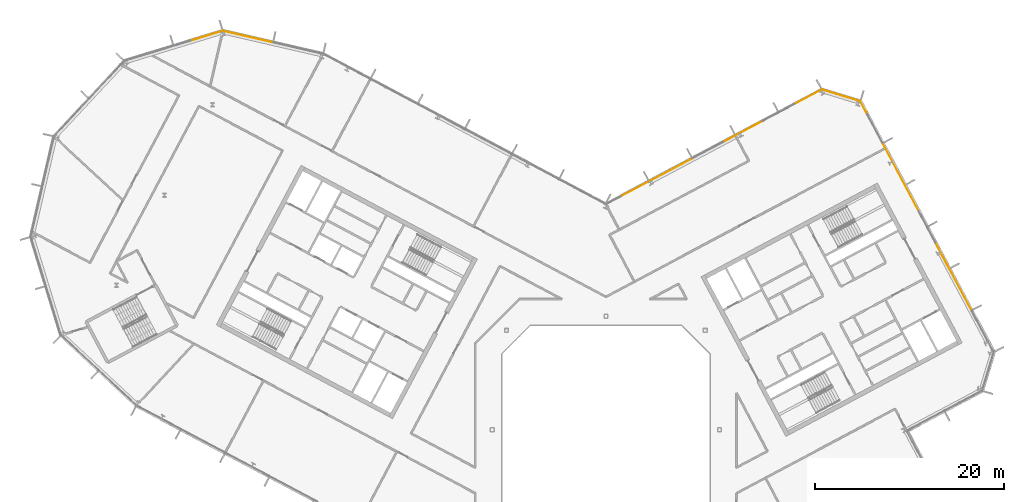
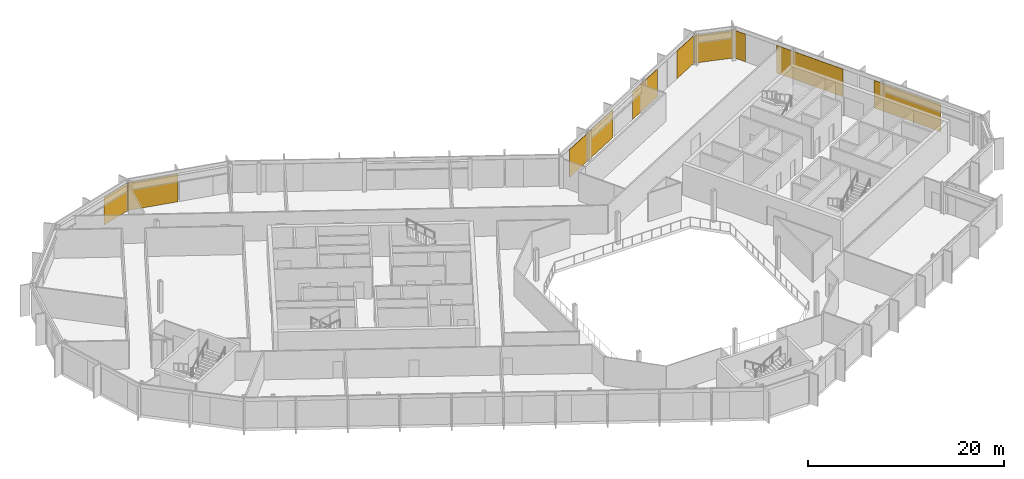
# One storey, part 25 of 25: 9 coverings, 5 elements without a shape of their own.
"""IFC4 building model written with IfcOpenShell, lengths in metres."""

from ifc_helpers import new_model, si_unit, direction, frame, origin, origin_2d, place, context, subcontext, project, spatial, rectangle, extrude, material, layer, layer_set, type_object, element, aggregate, save


model = new_model("IFC4")

# Units and contexts
model_context = context("Model", 3, precision=1e-05, world=origin(), true_north=direction((0.0, 1.0)))
body_context = subcontext(model_context, "Body", "Model", "MODEL_VIEW")
ifc_project = project(units=[si_unit("LENGTHUNIT", "METRE"), si_unit("AREAUNIT", "SQUARE_METRE"), si_unit("VOLUMEUNIT", "CUBIC_METRE"), si_unit("PLANEANGLEUNIT", "RADIAN"), si_unit("MASSUNIT", "GRAM", prefix="KILO")], contexts=[model_context])

# Site, building, storey
site_placement = place(None, origin())
site = spatial("IfcSite", under=ifc_project, at=site_placement, CompositionType="ELEMENT")
building_placement = place(site_placement, origin())
building = spatial("IfcBuilding", under=site, at=building_placement, Name="Cormorant Relay Tower", CompositionType="ELEMENT")
storey_placement = place(building_placement, frame((0.0, 0.0, 297.0)))
storey = spatial("IfcBuildingStorey", under=building, at=storey_placement, Name="L67", CompositionType="ELEMENT", Elevation=297.0)

# Curtain wall, coverings
ifc_material_1 = material(Name="Aluminium 6063-T6 anodised bronze", Category="aluminium")
ifc_layer_1 = layer(ifc_material_1, 0.199951171875)
ifc_layer_set_1 = layer_set([ifc_layer_1], Name="CW1 unitised bronze curtain wall with vertical fins")
curtain_wall_type = type_object("IfcCurtainWallType", Name="CW1 unitised bronze curtain wall with vertical fins", PredefinedType="NOTDEFINED", material=ifc_layer_set_1)
curtain_wall_1_placement = place(storey_placement, origin())
curtain_wall_1 = element("IfcCurtainWall", 1, at=curtain_wall_1_placement, inside=storey, type_object=curtain_wall_type, Name="CW1 curtain wall 6", PredefinedType="NOTDEFINED")
ifc_material_2 = material(Name="Pale bronze anodised aluminium insulated panel", Category="aluminium")
ifc_layer_2 = layer(ifc_material_2, 0.0400390625)
ifc_layer_set_2 = layer_set([ifc_layer_2], Name="CW1 pale bronze insulated panel 40")
covering_type = type_object("IfcCoveringType", Name="CW1 pale bronze insulated panel 40", PredefinedType="CLADDING", material=ifc_layer_set_2)
covering_1_placement = place(storey_placement, frame((36.697021484375, 16.227783203125, 0.0), z_axis=(0.0, 0.0, 1.0), x_axis=(-0.469471562786, 0.882947592859, 0.0)))
covering_1 = element("IfcCovering", 2, at=covering_1_placement, type_object=covering_type, Name="CW1 panel S02", PredefinedType="CLADDING", context=body_context, shape_type="SweptSolid", body=[
    extrude(rectangle(XDim=8.050048828125, YDim=0.0400390625, at=origin_2d()), origin(), (0.0, 0.0, 1.0), 3.449951171875),
])
covering_2_placement = place(storey_placement, frame((31.1572265625, 26.646484375, 0.0), z_axis=(0.0, 0.0, 1.0), x_axis=(-0.469471562786, 0.882947592859, 0.0)))
covering_2 = element("IfcCovering", 3, at=covering_2_placement, type_object=covering_type, Name="CW1 panel S05", PredefinedType="CLADDING", context=body_context, shape_type="SweptSolid", body=[
    extrude(rectangle(XDim=8.050048828125, YDim=0.0400390625, at=origin_2d()), origin(), (0.0, 0.0, 1.0), 3.449951171875),
])
covering_3_placement = place(storey_placement, frame((27.196044921875, 34.096435546875, 0.0), z_axis=(0.0, 0.0, 1.0), x_axis=(-0.469471562786, 0.882947592859, 0.0)))
covering_3 = element("IfcCovering", 4, at=covering_3_placement, type_object=covering_type, Name="CW1 panel S07", PredefinedType="CLADDING", context=body_context, shape_type="SweptSolid", body=[
    extrude(rectangle(XDim=1.324951171875, YDim=0.0400390625, at=origin_2d()), origin(), (0.0, 0.0, 1.0), 3.449951171875),
])
aggregate(curtain_wall_1, [covering_1, covering_2, covering_3])

# Curtain wall, covering
curtain_wall_2_placement = place(storey_placement, origin())
curtain_wall_2 = element("IfcCurtainWall", 5, at=curtain_wall_2_placement, inside=storey, type_object=curtain_wall_type, Name="CW1 curtain wall 7", PredefinedType="NOTDEFINED")
covering_4_placement = place(storey_placement, frame((24.808837890625, 35.322265625, 0.0), z_axis=(0.0, 0.0, 1.0), x_axis=(-0.956304755963, 0.292371704723, 0.0)))
covering_4 = element("IfcCovering", 6, at=covering_4_placement, type_object=covering_type, Name="CW1 panel S00", PredefinedType="CLADDING", context=body_context, shape_type="SweptSolid", body=[
    extrude(rectangle(XDim=4.16748046875, YDim=0.0400390625, at=origin_2d()), origin(), (0.0, 0.0, 1.0), 3.449951171875),
])
aggregate(curtain_wall_2, [covering_4])

# Curtain wall, coverings
curtain_wall_3_placement = place(storey_placement, origin())
curtain_wall_3 = element("IfcCurtainWall", 7, at=curtain_wall_3_placement, inside=storey, type_object=curtain_wall_type, Name="CW1 curtain wall 8", PredefinedType="NOTDEFINED")
covering_5_placement = place(storey_placement, frame((21.314453125, 35.1396484375, 0.0), z_axis=(0.0, 0.0, 1.0), x_axis=(-0.882947592859, -0.469471562786, 0.0)))
covering_5 = element("IfcCovering", 8, at=covering_5_placement, type_object=covering_type, Name="CW1 panel S00", PredefinedType="CLADDING", context=body_context, shape_type="SweptSolid", body=[
    extrude(rectangle(XDim=3.216796875, YDim=0.0400390625, at=origin_2d()), origin(), (0.0, 0.0, 1.0), 3.449951171875),
])
covering_6_placement = place(storey_placement, frame((14.471435546875, 31.501220703125, 0.0), z_axis=(0.0, 0.0, 1.0), x_axis=(-0.882947592859, -0.469471562786, 0.0)))
covering_6 = element("IfcCovering", 9, at=covering_6_placement, type_object=covering_type, Name="CW1 panel S03", PredefinedType="CLADDING", context=body_context, shape_type="SweptSolid", body=[
    extrude(rectangle(XDim=4.78369140625, YDim=0.0400390625, at=origin_2d()), origin(), (0.0, 0.0, 1.0), 3.449951171875),
])
covering_7_placement = place(storey_placement, frame((5.314208984375, 26.632080078125, 0.0), z_axis=(0.0, 0.0, 1.0), x_axis=(-0.882947592859, -0.469471562786, 0.0)))
covering_7 = element("IfcCovering", 10, at=covering_7_placement, type_object=covering_type, Name="CW1 panel S05", PredefinedType="CLADDING", context=body_context, shape_type="SweptSolid", body=[
    extrude(rectangle(XDim=8.45849609375, YDim=0.0400390625, at=origin_2d()), origin(), (0.0, 0.0, 1.0), 3.449951171875),
])
aggregate(curtain_wall_3, [covering_5, covering_6, covering_7])

# Curtain wall, covering
curtain_wall_4_placement = place(storey_placement, origin())
curtain_wall_4 = element("IfcCurtainWall", 11, at=curtain_wall_4_placement, inside=storey, type_object=curtain_wall_type, Name="CW1 curtain wall 10", PredefinedType="NOTDEFINED")
covering_8_placement = place(storey_placement, frame((-37.849609375, 41.530029296875, 0.0), z_axis=(0.0, 0.0, 1.0), x_axis=(-0.974370064785, 0.224951054344, 0.0)))
covering_8 = element("IfcCovering", 12, at=covering_8_placement, type_object=covering_type, Name="CW1 panel S02", PredefinedType="CLADDING", context=body_context, shape_type="SweptSolid", body=[
    extrude(rectangle(XDim=5.360107421875, YDim=0.0400390625, at=origin_2d()), origin(), (0.0, 0.0, 1.0), 3.449951171875),
])
aggregate(curtain_wall_4, [covering_8])

curtain_wall_5_placement = place(storey_placement, origin())
curtain_wall_5 = element("IfcCurtainWall", 13, at=curtain_wall_5_placement, inside=storey, type_object=curtain_wall_type, Name="CW1 curtain wall 11", PredefinedType="NOTDEFINED")
covering_9_placement = place(storey_placement, frame((-42.209716796875, 41.60107421875, 0.0), z_axis=(0.0, 0.0, 1.0), x_axis=(-0.956304755963, -0.292371704723, 0.0)))
covering_9 = element("IfcCovering", 14, at=covering_9_placement, type_object=covering_type, Name="CW1 panel S00", PredefinedType="CLADDING", context=body_context, shape_type="SweptSolid", body=[
    extrude(rectangle(XDim=3.485107421875, YDim=0.0400390625, at=origin_2d()), origin(), (0.0, 0.0, 1.0), 3.449951171875),
])
aggregate(curtain_wall_5, [covering_9])

save(model, "model.ifc")
